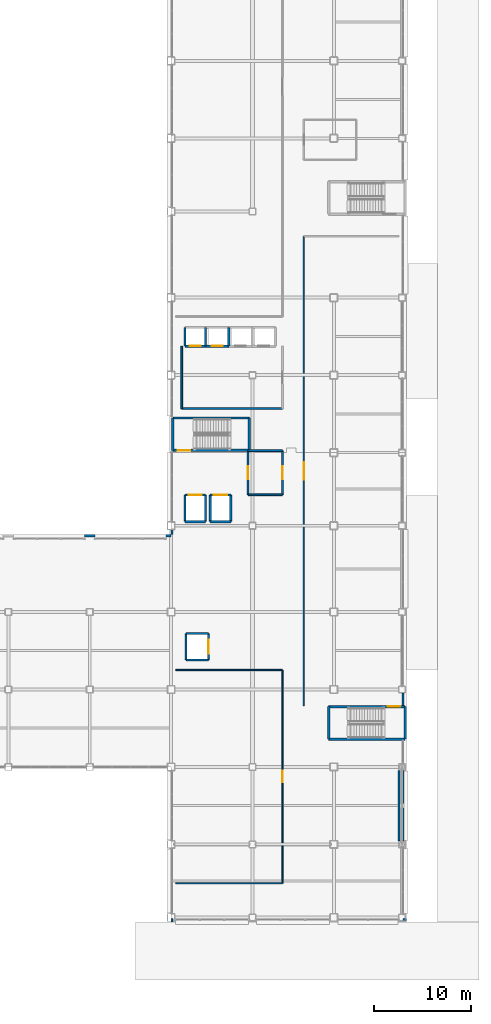
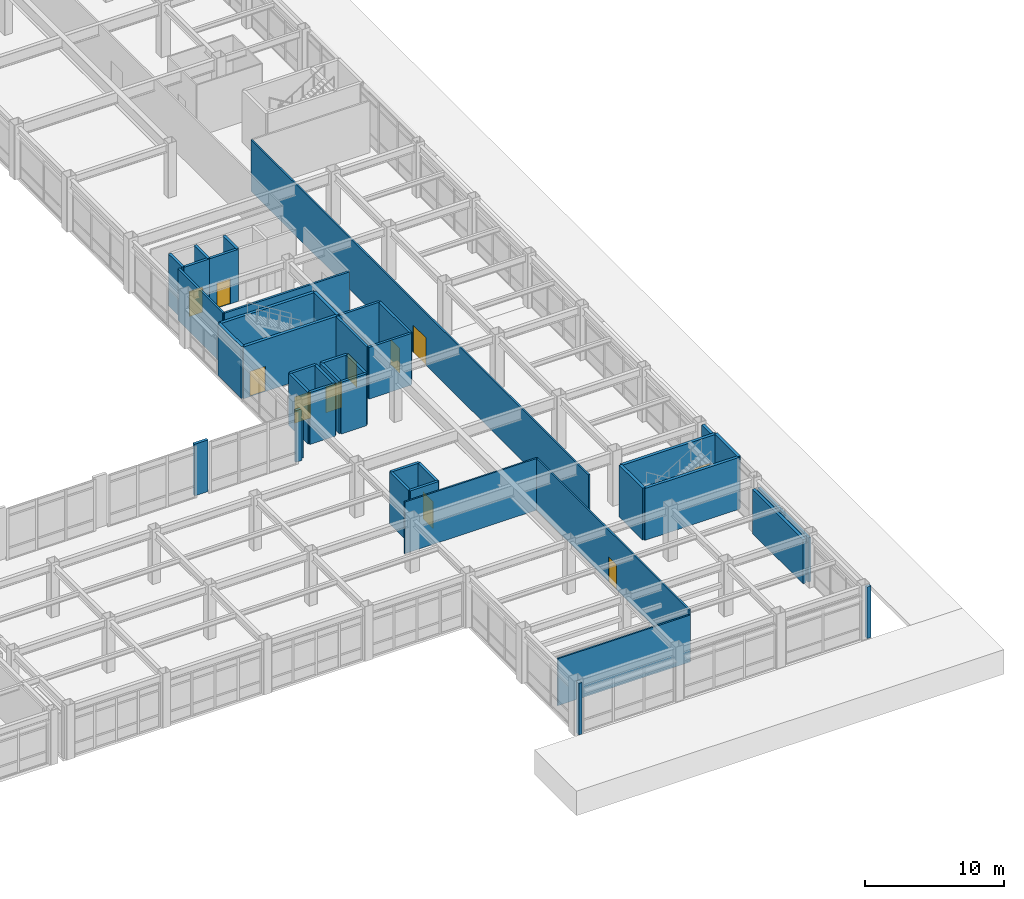
# One storey, part 147 of 172: 43 walls, 11 doors, 11 openings.
"""IFC4 building model written with IfcOpenShell, lengths in metres."""

import ifcopenshell
import ifcopenshell.guid

model = None  # the IFC model being written
_history = None  # IfcOwnerHistory: only IFC2X3 demands one
_inside = {}  # id of a spatial element -> (the spatial element, [elements in it])
_under = {}  # id of a project, library or spatial element -> (it, [spatial elements below it])
_declared = {}  # id of a project -> (the project, [libraries it declares])
_typed = {}  # id of a type object -> (the type object, [elements of that type])
_made_of = {}  # id of a material, layer set ... -> (it, [elements and type objects made of it])


def new_model(schema):
    """Start an empty IFC model of exactly this schema.

    Asked for "IFC4X3", IfcOpenShell would pick the latest addendum, in which some entities
    have other attributes; the version numbers below select the first issue.
    IFC2X3 requires an IfcOwnerHistory on every rooted entity: one is made here for all.
    """
    global model, _history
    if schema == "IFC4X3":
        model = ifcopenshell.file(schema_version=(4, 3, 0, 0))
    else:
        model = ifcopenshell.file(schema=schema)
    _inside.clear()
    _under.clear()
    _declared.clear()
    _typed.clear()
    _made_of.clear()
    _history = None
    if model.schema == "IFC2X3":
        org = make("IfcOrganization", Name="unknown")
        user = make(
            "IfcPersonAndOrganization",
            ThePerson=make("IfcPerson", FamilyName="unknown"),
            TheOrganization=org,
        )
        app = make(
            "IfcApplication",
            ApplicationDeveloper=org,
            Version="unknown",
            ApplicationFullName="unknown",
            ApplicationIdentifier="unknown",
        )
        _history = make(
            "IfcOwnerHistory",
            OwningUser=user,
            OwningApplication=app,
            ChangeAction="ADDED",
            CreationDate=0,
        )
    return model


def make(cls, **values):
    """One entity of the class cls with the attributes given. An attribute that is None is left unset."""
    return model.create_entity(
        cls, **{name: value for name, value in values.items() if value is not None}
    )


def rooted(cls, **values):
    """An entity with a GlobalId (a new one), such as an element, a storey or a relation."""
    return make(cls, GlobalId=ifcopenshell.guid.new(), OwnerHistory=_history, **values)


def si_unit(unit_type, name, prefix=None):
    """IfcSIUnit, for example si_unit("LENGTHUNIT", "METRE", prefix="MILLI")."""
    return make("IfcSIUnit", UnitType=unit_type, Prefix=prefix, Name=name)


def assignment(units):
    """IfcUnitAssignment: the units of a project."""
    return None if units is None else make("IfcUnitAssignment", Units=units)


def point(xyz):
    """IfcCartesianPoint."""
    return None if xyz is None else make("IfcCartesianPoint", Coordinates=xyz)


def direction(xyz):
    """IfcDirection."""
    return None if xyz is None else make("IfcDirection", DirectionRatios=xyz)


def frame(location, z_axis=None, x_axis=None):
    """IfcAxis2Placement3D, a coordinate frame: its origin and axes. An axis left out is left unset."""
    return make(
        "IfcAxis2Placement3D",
        Location=point(location),
        Axis=direction(z_axis),
        RefDirection=direction(x_axis),
    )


def frame_2d(location, x_axis=None):
    """IfcAxis2Placement2D, a coordinate frame in the plane: its origin and x axis."""
    return make(
        "IfcAxis2Placement2D", Location=point(location), RefDirection=direction(x_axis)
    )


def origin():
    """The frame at (0, 0, 0) with its axes left unset."""
    return frame((0.0, 0.0, 0.0))


def place(relative_to, where):
    """IfcLocalPlacement: puts the frame where relative to a parent placement (None: the world)."""
    return make(
        "IfcLocalPlacement", PlacementRelTo=relative_to, RelativePlacement=where
    )


def context(
    kind, dimensions, precision=None, world=None, true_north=None, identifier=None
):
    """IfcGeometricRepresentationContext, for example the 3D "Model" context."""
    return make(
        "IfcGeometricRepresentationContext",
        ContextIdentifier=identifier,
        ContextType=kind,
        CoordinateSpaceDimension=dimensions,
        Precision=precision,
        WorldCoordinateSystem=world,
        TrueNorth=true_north,
    )


def subcontext(parent, identifier, kind, view, scale=None):
    """IfcGeometricRepresentationSubContext, for example "Body" below "Model"."""
    return make(
        "IfcGeometricRepresentationSubContext",
        ContextIdentifier=identifier,
        ContextType=kind,
        ParentContext=parent,
        TargetScale=scale,
        TargetView=view,
    )


def project(units=None, contexts=None):
    """IfcProject with its units and contexts."""
    return rooted(
        "IfcProject",
        Name="project",
        RepresentationContexts=contexts,
        UnitsInContext=assignment(units),
    )


def spatial(cls, under=None, at=None, **own):
    """A site, building, storey or space (cls), placed at a placement, below another one or the project."""
    s = rooted(cls, ObjectPlacement=at, **own)
    if under is not None:
        _under.setdefault(under.id(), (under, []))[1].append(s)
    return s


def profile(cls, at=None, kind="AREA", **sizes):
    """A parametric profile (cls). Its sizes go by their IFC names, for example OverallWidth=200.0."""
    return make(cls, ProfileType=kind, Position=at, **sizes)


def rectangle(**sizes):
    """IfcRectangleProfileDef."""
    return profile("IfcRectangleProfileDef", **sizes)


def extrude(swept, where, along, depth):
    """IfcExtrudedAreaSolid: the profile swept, set in the frame where, extruded along a direction by depth."""
    return make(
        "IfcExtrudedAreaSolid",
        SweptArea=swept,
        Position=where,
        ExtrudedDirection=direction(along),
        Depth=depth,
    )


def shape(context_of_items, identifier, shape_type, items):
    """IfcShapeRepresentation: the items that make up one representation, for example the "Body"."""
    return make(
        "IfcShapeRepresentation",
        ContextOfItems=context_of_items,
        RepresentationIdentifier=identifier,
        RepresentationType=shape_type,
        Items=items,
    )


def material(Name=None, Category=None):
    """IfcMaterial."""
    return make("IfcMaterial", Name=Name, Category=Category)


def layer(
    of_material, thickness, ventilated=None, Name=None, Category=None, Priority=None
):
    """IfcMaterialLayer: one layer of a wall or slab, of a material (None: an air gap)."""
    return make(
        "IfcMaterialLayer",
        Material=of_material,
        LayerThickness=thickness,
        IsVentilated=ventilated,
        Name=Name,
        Category=Category,
        Priority=Priority,
    )


def layer_set(layers, Name=None):
    """IfcMaterialLayerSet."""
    return make("IfcMaterialLayerSet", MaterialLayers=layers, LayerSetName=Name)


def made_of(thing, what):
    """Note that an element or type object is made of a material, layer set ...; save() writes the relation."""
    if what is not None:
        _made_of.setdefault(what.id(), (what, []))[1].append(thing)
    return thing


def type_object(cls, material=None, **own):
    """A type object (cls), such as IfcWallType, which elements share."""
    return made_of(rooted(cls, **own), material)


def element(
    cls,
    number,
    at=None,
    inside=None,
    cuts=None,
    type_object=None,
    material=None,
    context=None,
    identifier="Body",
    shape_type=None,
    held_by="IfcProductDefinitionShape",
    body=None,
    shapes=None,
    **own,
):
    """One element of the class cls, such as IfcWall. Its Tag is "e" and its number.

    at: its placement. inside: the storey or other place that contains it. cuts: it is an
    opening in that element (IfcRelVoidsElement). A single representation is given by context,
    identifier, shape_type and body (its items); several are given by shapes. held_by: the class
    of the entity that holds the representations. save() writes the other relations.
    """
    e = rooted(cls, Tag="e%d" % number, ObjectPlacement=at, **own)
    if body is not None:
        shapes = [shape(context, identifier, shape_type, body)]
    if shapes is not None:
        e.Representation = make(held_by, Representations=shapes)
    if inside is not None:
        _inside.setdefault(inside.id(), (inside, []))[1].append(e)
    if cuts is not None:
        rooted(
            "IfcRelVoidsElement", RelatingBuildingElement=cuts, RelatedOpeningElement=e
        )
    if type_object is not None:
        _typed.setdefault(type_object.id(), (type_object, []))[1].append(e)
    return made_of(e, material)


def fill(opening, filler):
    """IfcRelFillsElement: the door or window that sits in an opening."""
    return rooted(
        "IfcRelFillsElement",
        RelatingOpeningElement=opening,
        RelatedBuildingElement=filler,
    )


def aggregate(whole, parts):
    """IfcRelAggregates: a whole, such as a stair, and the parts it consists of."""
    return rooted("IfcRelAggregates", RelatingObject=whole, RelatedObjects=parts)


def save(model, path):
    """Write the relations noted so far, then the file.

    IfcRelAggregates (storeys below a building ...), IfcRelContainedInSpatialStructure (elements
    in a storey), IfcRelDefinesByType, IfcRelAssociatesMaterial and IfcRelDeclares: one each for
    every whole, place, type object, material and project.
    """
    for whole, parts in _under.values():
        aggregate(whole, parts)
    for where, things in _inside.values():
        rooted(
            "IfcRelContainedInSpatialStructure",
            RelatedElements=things,
            RelatingStructure=where,
        )
    for kind, things in _typed.values():
        rooted("IfcRelDefinesByType", RelatedObjects=things, RelatingType=kind)
    for what, things in _made_of.values():
        rooted("IfcRelAssociatesMaterial", RelatedObjects=things, RelatingMaterial=what)
    for by, libraries in _declared.values():
        rooted("IfcRelDeclares", RelatingContext=by, RelatedDefinitions=libraries)
    model.write(path)


model = new_model("IFC4")

# Units and contexts
model_context = context("Model", 3, precision=1e-05, world=origin(), true_north=direction((0.0, 1.0)))
body_context = subcontext(model_context, "Body", "Model", "MODEL_VIEW")
ifc_project = project(units=[si_unit("LENGTHUNIT", "METRE"), si_unit("AREAUNIT", "SQUARE_METRE"), si_unit("VOLUMEUNIT", "CUBIC_METRE"), si_unit("PLANEANGLEUNIT", "RADIAN"), si_unit("MASSUNIT", "GRAM", prefix="KILO")], contexts=[model_context])

# Site, building, storey
site_placement = place(None, origin())
site = spatial("IfcSite", under=ifc_project, at=site_placement, CompositionType="ELEMENT")
building_placement = place(site_placement, origin())
building = spatial("IfcBuilding", under=site, at=building_placement, Name="Kazehara Bluff Congress Hotel", CompositionType="ELEMENT")
storey_placement = place(building_placement, frame((0.0, 0.0, 5.39990234375)))
storey = spatial("IfcBuildingStorey", under=building, at=storey_placement, Name="L01", CompositionType="ELEMENT", Elevation=5.39990234375)

# Walls
ifc_material_1 = material(Name="Concrete C40/50", Category="concrete")
ifc_layer_1 = layer(ifc_material_1, 0.25)
ifc_layer_set_1 = layer_set([ifc_layer_1], Name="Concrete C40/50")
wall_type_1 = type_object("IfcWallType", Name="TP-CW-RC", PredefinedType="SHEAR", material=ifc_layer_set_1)
for number, where, z_axis, x_axis, name in (
    (1, (167.875, 22.22509765625, 0.0), (0.0, 0.0, 1.0), (0.0, -1.0, 0.0), "L01 ST-10 core wall near"),
    (2, (159.97509765625, 18.875, 0.0), (0.0, 0.0, 1.0), (0.0, 1.0, 0.0), "L01 ST-10 core wall far"),
):
    element("IfcWall", number, at=place(storey_placement, frame(where, z_axis=z_axis, x_axis=x_axis)), inside=storey, type_object=wall_type_1, Name=name, PredefinedType="SHEAR", context=body_context, shape_type="SweptSolid", body=[
        extrude(rectangle(XDim=3.35009765625, YDim=0.25, at=frame_2d((1.675048828125, 0.0))), origin(), (0.0, 0.0, 1.0), 4.550048828125),
    ])

# Wall, opening, door
wall_1_placement = place(storey_placement, frame((159.97509765625, 22.22509765625, 0.0), z_axis=(0.0, 0.0, 1.0), x_axis=(1.0, 0.0, 0.0)))
wall_1 = element("IfcWall", 3, at=wall_1_placement, inside=storey, type_object=wall_type_1, Name="L01 ST-10 core wall left", PredefinedType="SHEAR", context=body_context, shape_type="SweptSolid", body=[
    extrude(rectangle(XDim=7.89990234375, YDim=0.25, at=frame_2d((3.949951171875, 0.0))), origin(), (0.0, 0.0, 1.0), 4.550048828125),
])
opening_1_placement = place(wall_1_placement, frame((6.074951171875, 0.0, 0.0)))
opening_1 = element("IfcOpeningElement", 4, at=opening_1_placement, cuts=wall_1, Name="Opening FD-01", PredefinedType="OPENING", context=body_context, shape_type="SweptSolid", body=[
    extrude(rectangle(XDim=1.300048828125, YDim=2.199951171875, at=frame_2d((0.64990234375, 1.10009765625))), frame((0.0, 0.135009765625, 0.0), z_axis=(0.0, -1.0, 0.0), x_axis=(1.0, 0.0, 0.0)), (0.0, 0.0, 1.0), 0.27001953125),
])
ifc_material_2 = material(Name="Fire-rated painted steel leaf", Category="steel")
door_type_1 = type_object("IfcDoorType", Name="TP-FD-01", OperationType="NOTDEFINED", PredefinedType="DOOR", material=ifc_material_2)
door_1_placement = place(opening_1_placement, origin())
door_1 = element("IfcDoor", 5, at=door_1_placement, inside=storey, type_object=door_type_1, Name="L01 ST-10 fire stair door", OperationType="SINGLE_SWING_LEFT", OverallHeight=2.199951171875, OverallWidth=1.300048828125, PredefinedType="DOOR", context=body_context, shape_type="SweptSolid", body=[
    extrude(rectangle(XDim=1.300048828125, YDim=2.199951171875, at=frame_2d((0.64990234375, 1.10009765625))), frame((0.0, 0.02490234375, 0.0), z_axis=(0.0, -1.0, 0.0), x_axis=(1.0, 0.0, 0.0)), (0.0, 0.0, 1.0), 0.050048828125),
])
fill(opening_1, door_1)

# Walls
wall_2_placement = place(storey_placement, frame((167.875, 18.875, 0.0), z_axis=(0.0, 0.0, 1.0), x_axis=(-1.0, 0.0, 0.0)))
element("IfcWall", 6, at=wall_2_placement, inside=storey, type_object=wall_type_1, Name="L01 ST-10 core wall right", PredefinedType="SHEAR", context=body_context, shape_type="SweptSolid", body=[
    extrude(rectangle(XDim=7.89990234375, YDim=0.25, at=frame_2d((3.949951171875, 0.0))), origin(), (0.0, 0.0, 1.0), 4.550048828125),
])
for number, where, z_axis, x_axis, name in (
    (7, (143.875, 48.675048828125, 0.0), (0.0, 0.0, 1.0), (0.0, 1.0, 0.0), "L01 ST-11 core wall near"),
    (8, (151.77490234375, 52.02490234375, 0.0), (0.0, 0.0, 1.0), (0.0, -1.0, 0.0), "L01 ST-11 core wall far"),
):
    element("IfcWall", number, at=place(storey_placement, frame(where, z_axis=z_axis, x_axis=x_axis)), inside=storey, type_object=wall_type_1, Name=name, PredefinedType="SHEAR", context=body_context, shape_type="SweptSolid", body=[
        extrude(rectangle(XDim=3.349853515625, YDim=0.25, at=frame_2d((1.6748046875, 0.0))), origin(), (0.0, 0.0, 1.0), 4.550048828125),
    ])

# Wall, opening, door
wall_3_placement = place(storey_placement, frame((151.77490234375, 48.675048828125, 0.0), z_axis=(0.0, 0.0, 1.0), x_axis=(-1.0, 0.0, 0.0)))
wall_3 = element("IfcWall", 9, at=wall_3_placement, inside=storey, type_object=wall_type_1, Name="L01 ST-11 core wall left", PredefinedType="SHEAR", context=body_context, shape_type="SweptSolid", body=[
    extrude(rectangle(XDim=7.89990234375, YDim=0.25, at=frame_2d((3.949951171875, 0.0))), origin(), (0.0, 0.0, 1.0), 4.550048828125),
])
opening_2_placement = place(wall_3_placement, frame((6.074951171875, 0.0, 0.0)))
opening_2 = element("IfcOpeningElement", 10, at=opening_2_placement, cuts=wall_3, Name="Opening FD-01", PredefinedType="OPENING", context=body_context, shape_type="SweptSolid", body=[
    extrude(rectangle(XDim=1.300048828125, YDim=2.199951171875, at=frame_2d((0.64990234375, 1.10009765625))), frame((0.0, 0.135009765625, 0.0), z_axis=(0.0, -1.0, 0.0), x_axis=(1.0, 0.0, 0.0)), (0.0, 0.0, 1.0), 0.27001953125),
])
door_2_placement = place(opening_2_placement, origin())
door_2 = element("IfcDoor", 11, at=door_2_placement, inside=storey, type_object=door_type_1, Name="L01 ST-11 fire stair door", OperationType="SINGLE_SWING_RIGHT", OverallHeight=2.199951171875, OverallWidth=1.300048828125, PredefinedType="DOOR", context=body_context, shape_type="SweptSolid", body=[
    extrude(rectangle(XDim=1.300048828125, YDim=2.199951171875, at=frame_2d((0.64990234375, 1.10009765625))), frame((0.0, 0.02490234375, 0.0), z_axis=(0.0, -1.0, 0.0), x_axis=(1.0, 0.0, 0.0)), (0.0, 0.0, 1.0), 0.050048828125),
])
fill(opening_2, door_2)

# Walls
wall_4_placement = place(storey_placement, frame((143.875, 52.02490234375, 0.0), z_axis=(0.0, 0.0, 1.0), x_axis=(1.0, 0.0, 0.0)))
element("IfcWall", 12, at=wall_4_placement, inside=storey, type_object=wall_type_1, Name="L01 ST-11 core wall right", PredefinedType="SHEAR", context=body_context, shape_type="SweptSolid", body=[
    extrude(rectangle(XDim=7.89990234375, YDim=0.25, at=frame_2d((3.949951171875, 0.0))), origin(), (0.0, 0.0, 1.0), 4.550048828125),
])
ifc_material_3 = material(Name="Precast concrete C40/50", Category="concrete")
ifc_layer_2 = layer(ifc_material_3, 0.239990234375)
ifc_layer_set_2 = layer_set([ifc_layer_2], Name="Precast concrete C40/50")
wall_type_2 = type_object("IfcWallType", Name="TP-EW-240", PredefinedType="SOLIDWALL", material=ifc_layer_set_2)
wall_5_placement = place(storey_placement, frame((167.22998046875, 8.35009765625, 0.0), z_axis=(0.0, 0.0, 1.0), x_axis=(0.0, 1.0, 0.0)))
element("IfcWall", 13, at=wall_5_placement, inside=storey, type_object=wall_type_2, Name="L01 braced-bay recessed facade wall 1", PredefinedType="SOLIDWALL", context=body_context, shape_type="SweptSolid", body=[
    extrude(rectangle(XDim=7.2998046875, YDim=0.239990234375, at=frame_2d((3.64990234375, 0.0))), origin(), (0.0, 0.0, 1.0), 3.875),
])
wall_6_placement = place(storey_placement, frame((168.0, 0.219970703125, 0.0), z_axis=(0.0, 0.0, 1.0), x_axis=(-1.0, 0.0, 0.0)))
element("IfcWall", 14, at=wall_6_placement, inside=storey, type_object=wall_type_2, Name="L01 V5 perimeter spandrel pier 606", PredefinedType="SOLIDWALL", context=body_context, shape_type="SweptSolid", body=[
    extrude(rectangle(XDim=0.360107421875, YDim=0.239990234375, at=frame_2d((0.18017578125, 0.0))), origin(), (0.0, 0.0, 1.0), 4.53515625),
])
wall_7_placement = place(storey_placement, frame((167.64990234375, 15.64990234375, 0.0), z_axis=(0.0, 0.0, 1.0), x_axis=(0.0, -1.0, 0.0)))
element("IfcWall", 15, at=wall_7_placement, inside=storey, type_object=wall_type_2, Name="L01 V5 perimeter spandrel pier 607", PredefinedType="SOLIDWALL", context=body_context, shape_type="SweptSolid", body=[
    extrude(rectangle(XDim=7.2998046875, YDim=0.239990234375, at=frame_2d((3.64990234375, 0.0))), origin(), (0.0, 0.0, 1.0), 3.875),
])
wall_8_placement = place(storey_placement, frame((167.64990234375, 23.64990234375, 0.0), z_axis=(0.0, 0.0, 1.0), x_axis=(0.0, -1.0, 0.0)))
element("IfcWall", 16, at=wall_8_placement, inside=storey, type_object=wall_type_2, Name="L01 V5 perimeter spandrel pier 608", PredefinedType="SOLIDWALL", context=body_context, shape_type="SweptSolid", body=[
    extrude(rectangle(XDim=1.289794921875, YDim=0.239990234375, at=frame_2d((0.64501953125, 0.0))), origin(), (0.0, 0.0, 1.0), 4.53515625),
])
wall_9_placement = place(storey_placement, frame((143.800048828125, 40.0, 0.0), z_axis=(0.0, 0.0, 1.0), x_axis=(0.0, 1.0, 0.0)))
element("IfcWall", 17, at=wall_9_placement, inside=storey, type_object=wall_type_2, Name="L01 V5 perimeter spandrel pier 610", PredefinedType="SOLIDWALL", context=body_context, shape_type="SweptSolid", body=[
    extrude(rectangle(XDim=0.5, YDim=0.239990234375, at=frame_2d((0.25, 0.0))), origin(), (0.0, 0.0, 1.0), 3.8251953125),
])
wall_10_placement = place(storey_placement, frame((134.75, 39.8798828125, 0.0), z_axis=(0.0, 0.0, 1.0), x_axis=(1.0, 0.0, 0.0)))
element("IfcWall", 18, at=wall_10_placement, inside=storey, type_object=wall_type_2, Name="L01 V5 perimeter spandrel pier 615", PredefinedType="SOLIDWALL", context=body_context, shape_type="SweptSolid", body=[
    extrude(rectangle(XDim=1.10009765625, YDim=0.239990234375, at=frame_2d((0.550048828125, 0.0))), origin(), (0.0, 0.0, 1.0), 4.53515625),
])
wall_11_placement = place(storey_placement, frame((143.14990234375, 39.8798828125, 0.0), z_axis=(0.0, 0.0, 1.0), x_axis=(1.0, 0.0, 0.0)))
element("IfcWall", 19, at=wall_11_placement, inside=storey, type_object=wall_type_2, Name="L01 V5 perimeter spandrel pier 616", PredefinedType="SOLIDWALL", context=body_context, shape_type="SweptSolid", body=[
    extrude(rectangle(XDim=0.52001953125, YDim=0.239990234375, at=frame_2d((0.260009765625, 0.0))), origin(), (0.0, 0.0, 1.0), 4.53515625),
])
wall_12_placement = place(storey_placement, frame((143.800048828125, 0.0, 0.0), z_axis=(0.0, 0.0, 1.0), x_axis=(0.0, 1.0, 0.0)))
element("IfcWall", 20, at=wall_12_placement, inside=storey, type_object=wall_type_2, Name="L01 V5 perimeter spandrel pier 621", PredefinedType="SOLIDWALL", context=body_context, shape_type="SweptSolid", body=[
    extrude(rectangle(XDim=0.360107421875, YDim=0.239990234375, at=frame_2d((0.18017578125, 0.0))), origin(), (0.0, 0.0, 1.0), 4.53515625),
])
ifc_material_4 = material(Name="Concrete C40/50", Category="concrete")
ifc_layer_3 = layer(ifc_material_4, 0.199951171875)
ifc_layer_set_3 = layer_set([ifc_layer_3], Name="Concrete C40/50")
wall_type_3 = type_object("IfcWallType", Name="TP-FW-RC", PredefinedType="SOLIDWALL", material=ifc_layer_set_3)
for number, where, z_axis, x_axis, name in (
    (21, (151.64990234375, 44.10009765625, 0.0), (0.0, 0.0, 1.0), (1.0, 0.0, 0.0), "L01 partition FW-RC 147"),
    (22, (151.64990234375, 48.64990234375, 0.0), (0.0, 0.0, 1.0), (1.0, 0.0, 0.0), "L01 partition FW-RC 149"),
):
    element("IfcWall", number, at=place(storey_placement, frame(where, z_axis=z_axis, x_axis=x_axis)), inside=storey, type_object=wall_type_3, Name=name, PredefinedType="SOLIDWALL", context=body_context, shape_type="SweptSolid", body=[
        extrude(rectangle(XDim=3.550048828125, YDim=0.199951171875, at=frame_2d((1.77490234375, 0.0))), origin(), (0.0, 0.0, 1.0), 4.53515625),
    ])

# Wall, opening, door
wall_13_placement = place(storey_placement, frame((151.64990234375, 44.10009765625, 0.0), z_axis=(0.0, 0.0, 1.0), x_axis=(0.0, 1.0, 0.0)))
wall_13 = element("IfcWall", 23, at=wall_13_placement, inside=storey, type_object=wall_type_3, Name="L01 partition FW-RC 185", PredefinedType="SOLIDWALL", context=body_context, shape_type="SweptSolid", body=[
    extrude(rectangle(XDim=4.5498046875, YDim=0.199951171875, at=frame_2d((2.27490234375, 0.0))), origin(), (0.0, 0.0, 1.0), 4.53515625),
])
opening_3_placement = place(wall_13_placement, frame((1.625, 0.0, 0.0)))
opening_3 = element("IfcOpeningElement", 24, at=opening_3_placement, cuts=wall_13, Name="Opening FD-01", PredefinedType="OPENING", context=body_context, shape_type="SweptSolid", body=[
    extrude(rectangle(XDim=1.300048828125, YDim=2.199951171875, at=frame_2d((0.64990234375, 1.10009765625))), frame((0.0, 0.10986328125, 0.0), z_axis=(0.0, -1.0, 0.0), x_axis=(1.0, 0.0, 0.0)), (0.0, 0.0, 1.0), 0.219970703125),
])
door_3_placement = place(opening_3_placement, origin())
door_3 = element("IfcDoor", 25, at=door_3_placement, inside=storey, type_object=door_type_1, Name="L01 Emergency Firefighting Lobby door", OperationType="SINGLE_SWING_LEFT", OverallHeight=2.199951171875, OverallWidth=1.300048828125, PredefinedType="DOOR", context=body_context, shape_type="SweptSolid", body=[
    extrude(rectangle(XDim=1.300048828125, YDim=2.199951171875, at=frame_2d((0.64990234375, 1.10009765625))), frame((0.0, 0.02490234375, 0.0), z_axis=(0.0, -1.0, 0.0), x_axis=(1.0, 0.0, 0.0)), (0.0, 0.0, 1.0), 0.050048828125),
])
fill(opening_3, door_3)

wall_14_placement = place(storey_placement, frame((155.199951171875, 44.10009765625, 0.0), z_axis=(0.0, 0.0, 1.0), x_axis=(0.0, 1.0, 0.0)))
wall_14 = element("IfcWall", 26, at=wall_14_placement, inside=storey, type_object=wall_type_3, Name="L01 partition FW-RC 187", PredefinedType="SOLIDWALL", context=body_context, shape_type="SweptSolid", body=[
    extrude(rectangle(XDim=4.5498046875, YDim=0.199951171875, at=frame_2d((2.27490234375, 0.0))), origin(), (0.0, 0.0, 1.0), 4.53515625),
])
opening_4_placement = place(wall_14_placement, frame((1.625, 0.0, 0.0)))
opening_4 = element("IfcOpeningElement", 27, at=opening_4_placement, cuts=wall_14, Name="Opening FD-01", PredefinedType="OPENING", context=body_context, shape_type="SweptSolid", body=[
    extrude(rectangle(XDim=1.300048828125, YDim=2.199951171875, at=frame_2d((0.64990234375, 1.10009765625))), frame((0.0, 0.10986328125, 0.0), z_axis=(0.0, -1.0, 0.0), x_axis=(1.0, 0.0, 0.0)), (0.0, 0.0, 1.0), 0.219970703125),
])
door_4_placement = place(opening_4_placement, origin())
door_4 = element("IfcDoor", 28, at=door_4_placement, inside=storey, type_object=door_type_1, Name="L01 Smoke Vestibule Lobby door", OperationType="SINGLE_SWING_RIGHT", OverallHeight=2.199951171875, OverallWidth=1.300048828125, PredefinedType="DOOR", context=body_context, shape_type="SweptSolid", body=[
    extrude(rectangle(XDim=1.300048828125, YDim=2.199951171875, at=frame_2d((0.64990234375, 1.10009765625))), frame((0.0, 0.02490234375, 0.0), z_axis=(0.0, -1.0, 0.0), x_axis=(1.0, 0.0, 0.0)), (0.0, 0.0, 1.0), 0.050048828125),
])
fill(opening_4, door_4)

# Walls
ifc_material_5 = material(Name="Fire-rated gypsum board stud partition")
ifc_layer_4 = layer(ifc_material_5, 0.1298828125)
ifc_layer_set_4 = layer_set([ifc_layer_4], Name="Fire-rated gypsum board stud partition")
wall_type_4 = type_object("IfcWallType", Name="TP-PT-130", PredefinedType="PARTITIONING", material=ifc_layer_set_4)
wall_15_placement = place(storey_placement, frame((144.199951171875, 4.0, 0.0), z_axis=(0.0, 0.0, 1.0), x_axis=(1.0, 0.0, 0.0)))
element("IfcWall", 29, at=wall_15_placement, inside=storey, type_object=wall_type_4, Name="L01 partition PT-130 134", PredefinedType="PARTITIONING", context=body_context, shape_type="SweptSolid", body=[
    extrude(rectangle(XDim=11.0, YDim=0.1298828125, at=frame_2d((5.5, 0.0))), origin(), (0.0, 0.0, 1.0), 4.125),
])
wall_16_placement = place(storey_placement, frame((144.199951171875, 26.0, 0.0), z_axis=(0.0, 0.0, 1.0), x_axis=(1.0, 0.0, 0.0)))
element("IfcWall", 30, at=wall_16_placement, inside=storey, type_object=wall_type_4, Name="L01 partition PT-130 139", PredefinedType="PARTITIONING", context=body_context, shape_type="SweptSolid", body=[
    extrude(rectangle(XDim=11.0, YDim=0.1298828125, at=frame_2d((5.5, 0.0))), origin(), (0.0, 0.0, 1.0), 4.53515625),
])

# Wall, opening, door
wall_17_placement = place(storey_placement, frame((155.199951171875, 4.0, 0.0), z_axis=(0.0, 0.0, 1.0), x_axis=(0.0, 1.0, 0.0)))
wall_17 = element("IfcWall", 31, at=wall_17_placement, inside=storey, type_object=wall_type_4, Name="L01 partition PT-130 186", PredefinedType="PARTITIONING", context=body_context, shape_type="SweptSolid", body=[
    extrude(rectangle(XDim=22.0, YDim=0.1298828125, at=frame_2d((11.0, 0.0))), origin(), (0.0, 0.0, 1.0), 4.53515625),
])
opening_5_placement = place(wall_17_placement, frame((10.39990234375, 0.0, 0.0)))
opening_5 = element("IfcOpeningElement", 32, at=opening_5_placement, cuts=wall_17, Name="Opening FD-02", PredefinedType="OPENING", context=body_context, shape_type="SweptSolid", body=[
    extrude(rectangle(XDim=1.199951171875, YDim=2.199951171875, at=frame_2d((0.60009765625, 1.10009765625))), frame((0.0, 0.074951171875, 0.0), z_axis=(0.0, -1.0, 0.0), x_axis=(1.0, 0.0, 0.0)), (0.0, 0.0, 1.0), 0.14990234375),
])
ifc_material_6 = material(Name="Fire-rated painted steel leaf", Category="steel")
door_type_2 = type_object("IfcDoorType", Name="TP-FD-02", OperationType="NOTDEFINED", PredefinedType="DOOR", material=ifc_material_6)
door_5_placement = place(opening_5_placement, origin())
door_5 = element("IfcDoor", 33, at=door_5_placement, inside=storey, type_object=door_type_2, Name="L01 Specialty Banquet Finishing Kitchen door", OperationType="SINGLE_SWING_LEFT", OverallHeight=2.199951171875, OverallWidth=1.199951171875, PredefinedType="DOOR", context=body_context, shape_type="SweptSolid", body=[
    extrude(rectangle(XDim=1.199951171875, YDim=2.199951171875, at=frame_2d((0.60009765625, 1.10009765625))), frame((0.0, 0.02490234375, 0.0), z_axis=(0.0, -1.0, 0.0), x_axis=(1.0, 0.0, 0.0)), (0.0, 0.0, 1.0), 0.050048828125),
])
fill(opening_5, door_5)

wall_18_placement = place(storey_placement, frame((157.39990234375, 22.300048828125, 0.0), z_axis=(0.0, 0.0, 1.0), x_axis=(0.0, 1.0, 0.0)))
wall_18 = element("IfcWall", 34, at=wall_18_placement, inside=storey, type_object=wall_type_4, Name="L01 partition PT-130 190", PredefinedType="PARTITIONING", context=body_context, shape_type="SweptSolid", body=[
    extrude(rectangle(XDim=48.5, YDim=0.1298828125, at=frame_2d((24.25, 0.0))), origin(), (0.0, 0.0, 1.0), 4.53515625),
])
opening_6_placement = place(wall_18_placement, frame((23.324951171875, 0.0, 0.0)))
opening_6 = element("IfcOpeningElement", 35, at=opening_6_placement, cuts=wall_18, Name="Opening AD-02", PredefinedType="OPENING", context=body_context, shape_type="SweptSolid", body=[
    extrude(rectangle(XDim=1.85009765625, YDim=2.39990234375, at=frame_2d((0.925048828125, 1.199951171875))), frame((0.0, 0.074951171875, 0.0), z_axis=(0.0, -1.0, 0.0), x_axis=(1.0, 0.0, 0.0)), (0.0, 0.0, 1.0), 0.14990234375),
])
ifc_material_7 = material(Name="Architectural oak veneer leaf")
door_type_3 = type_object("IfcDoorType", Name="TP-AD-02", OperationType="DOUBLE_DOOR_SINGLE_SWING", PredefinedType="DOOR", material=ifc_material_7)
door_6_placement = place(opening_6_placement, origin())
door_6 = element("IfcDoor", 36, at=door_6_placement, inside=storey, type_object=door_type_3, Name="L01 Eastern Street Main Hotel Reception Hall door", OperationType="DOUBLE_DOOR_SINGLE_SWING", OverallHeight=2.39990234375, OverallWidth=1.85009765625, PredefinedType="DOOR", context=body_context, shape_type="SweptSolid", body=[
    extrude(rectangle(XDim=1.85009765625, YDim=2.39990234375, at=frame_2d((0.925048828125, 1.199951171875))), frame((0.0, 0.02490234375, 0.0), z_axis=(0.0, -1.0, 0.0), x_axis=(1.0, 0.0, 0.0)), (0.0, 0.0, 1.0), 0.050048828125),
])
fill(opening_6, door_6)

# Walls
ifc_material_8 = material(Name="Fire-rated gypsum board stud partition")
ifc_layer_5 = layer(ifc_material_8, 0.169921875)
ifc_layer_set_5 = layer_set([ifc_layer_5], Name="Fire-rated gypsum board stud partition")
wall_type_5 = type_object("IfcWallType", Name="TP-PT-180", PredefinedType="PARTITIONING", material=ifc_layer_set_5)
wall_19_placement = place(storey_placement, frame((144.800048828125, 53.0, 0.0), z_axis=(0.0, 0.0, 1.0), x_axis=(1.0, 0.0, 0.0)))
element("IfcWall", 37, at=wall_19_placement, inside=storey, type_object=wall_type_5, Name="L01 partition PT-180 151", PredefinedType="PARTITIONING", context=body_context, shape_type="SweptSolid", body=[
    extrude(rectangle(XDim=10.39990234375, YDim=0.169921875, at=frame_2d((5.199951171875, 0.0))), origin(), (0.0, 0.0, 1.0), 4.53515625),
])
wall_20_placement = place(storey_placement, frame((144.800048828125, 53.0, 0.0), z_axis=(0.0, 0.0, 1.0), x_axis=(0.0, 1.0, 0.0)))
element("IfcWall", 38, at=wall_20_placement, inside=storey, type_object=wall_type_5, Name="L01 partition PT-180 184", PredefinedType="PARTITIONING", context=body_context, shape_type="SweptSolid", body=[
    extrude(rectangle(XDim=6.449951171875, YDim=0.169921875, at=frame_2d((3.22509765625, 0.0))), origin(), (0.0, 0.0, 1.0), 4.53515625),
])

# Wall, opening, door
ifc_material_9 = material(Name="Concrete C40/50", Category="concrete")
ifc_layer_6 = layer(ifc_material_9, 0.219970703125)
ifc_layer_set_6 = layer_set([ifc_layer_6], Name="Concrete C40/50")
wall_type_6 = type_object("IfcWallType", Name="TP-SW-RC", PredefinedType="SHEAR", material=ifc_layer_set_6)
wall_21_placement = place(storey_placement, frame((145.139892578125, 44.0849609375, 0.0), z_axis=(0.0, 0.0, 1.0), x_axis=(1.0, 0.0, 0.0)))
wall_21 = element("IfcWall", 39, at=wall_21_placement, inside=storey, type_object=wall_type_6, Name="L01 EL-E1 lift shaft wall +Y", PredefinedType="SHEAR", context=body_context, shape_type="SweptSolid", body=[
    extrude(rectangle(XDim=2.1201171875, YDim=0.219970703125, at=frame_2d((1.06005859375, 0.0))), origin(), (0.0, 0.0, 1.0), 4.550048828125),
])
opening_7_placement = place(wall_21_placement, frame((0.385009765625, 0.0, 0.0)))
opening_7 = element("IfcOpeningElement", 40, at=opening_7_placement, cuts=wall_21, Name="Opening LD-03", PredefinedType="OPENING", context=body_context, shape_type="SweptSolid", body=[
    extrude(rectangle(XDim=1.35009765625, YDim=2.300048828125, at=frame_2d((0.675048828125, 1.14990234375))), frame((0.0, 0.119873046875, 0.0), z_axis=(0.0, -1.0, 0.0), x_axis=(1.0, 0.0, 0.0)), (0.0, 0.0, 1.0), 0.239990234375),
])
ifc_material_10 = material(Name="Fire-rated painted steel leaf", Category="steel")
door_type_4 = type_object("IfcDoorType", Name="TP-LD-03", OperationType="SLIDING_TO_LEFT", PredefinedType="DOOR", material=ifc_material_10)
door_7_placement = place(opening_7_placement, origin())
door_7 = element("IfcDoor", 41, at=door_7_placement, inside=storey, type_object=door_type_4, Name="L01 EL-E1 elevator landing door", OperationType="SLIDING_TO_LEFT", OverallHeight=2.300048828125, OverallWidth=1.35009765625, PredefinedType="DOOR", context=body_context, shape_type="SweptSolid", body=[
    extrude(rectangle(XDim=1.35009765625, YDim=2.300048828125, at=frame_2d((0.675048828125, 1.14990234375))), frame((0.0, 0.02490234375, 0.0), z_axis=(0.0, -1.0, 0.0), x_axis=(1.0, 0.0, 0.0)), (0.0, 0.0, 1.0), 0.050048828125),
])
fill(opening_7, door_7)

# Walls
wall_22_placement = place(storey_placement, frame((145.139892578125, 41.31494140625, 0.0), z_axis=(0.0, 0.0, 1.0), x_axis=(1.0, 0.0, 0.0)))
element("IfcWall", 42, at=wall_22_placement, inside=storey, type_object=wall_type_6, Name="L01 EL-E1 lift shaft wall -Y", PredefinedType="SHEAR", context=body_context, shape_type="SweptSolid", body=[
    extrude(rectangle(XDim=2.1201171875, YDim=0.219970703125, at=frame_2d((1.06005859375, 0.0))), origin(), (0.0, 0.0, 1.0), 4.550048828125),
])
for number, where, z_axis, x_axis, name in (
    (43, (147.260009765625, 41.31494140625, 0.0), (0.0, 0.0, 1.0), (0.0, 1.0, 0.0), "L01 EL-E1 lift shaft wall +X"),
    (44, (145.139892578125, 41.31494140625, 0.0), (0.0, 0.0, 1.0), (0.0, 1.0, 0.0), "L01 EL-E1 lift shaft wall -X"),
):
    element("IfcWall", number, at=place(storey_placement, frame(where, z_axis=z_axis, x_axis=x_axis)), inside=storey, type_object=wall_type_6, Name=name, PredefinedType="SHEAR", context=body_context, shape_type="SweptSolid", body=[
        extrude(rectangle(XDim=2.77001953125, YDim=0.219970703125, at=frame_2d((1.385009765625, 0.0))), origin(), (0.0, 0.0, 1.0), 4.550048828125),
    ])

# Wall, opening, door
wall_23_placement = place(storey_placement, frame((147.739990234375, 44.0849609375, 0.0), z_axis=(0.0, 0.0, 1.0), x_axis=(1.0, 0.0, 0.0)))
wall_23 = element("IfcWall", 45, at=wall_23_placement, inside=storey, type_object=wall_type_6, Name="L01 EL-E2 lift shaft wall +Y", PredefinedType="SHEAR", context=body_context, shape_type="SweptSolid", body=[
    extrude(rectangle(XDim=2.1201171875, YDim=0.219970703125, at=frame_2d((1.06005859375, 0.0))), origin(), (0.0, 0.0, 1.0), 4.550048828125),
])
opening_8_placement = place(wall_23_placement, frame((0.385009765625, 0.0, 0.0)))
opening_8 = element("IfcOpeningElement", 46, at=opening_8_placement, cuts=wall_23, Name="Opening LD-03", PredefinedType="OPENING", context=body_context, shape_type="SweptSolid", body=[
    extrude(rectangle(XDim=1.35009765625, YDim=2.300048828125, at=frame_2d((0.675048828125, 1.14990234375))), frame((0.0, 0.119873046875, 0.0), z_axis=(0.0, -1.0, 0.0), x_axis=(1.0, 0.0, 0.0)), (0.0, 0.0, 1.0), 0.239990234375),
])
door_8_placement = place(opening_8_placement, origin())
door_8 = element("IfcDoor", 47, at=door_8_placement, inside=storey, type_object=door_type_4, Name="L01 EL-E2 elevator landing door", OperationType="SLIDING_TO_LEFT", OverallHeight=2.300048828125, OverallWidth=1.35009765625, PredefinedType="DOOR", context=body_context, shape_type="SweptSolid", body=[
    extrude(rectangle(XDim=1.35009765625, YDim=2.300048828125, at=frame_2d((0.675048828125, 1.14990234375))), frame((0.0, 0.02490234375, 0.0), z_axis=(0.0, -1.0, 0.0), x_axis=(1.0, 0.0, 0.0)), (0.0, 0.0, 1.0), 0.050048828125),
])
fill(opening_8, door_8)

# Walls
wall_24_placement = place(storey_placement, frame((147.739990234375, 41.31494140625, 0.0), z_axis=(0.0, 0.0, 1.0), x_axis=(1.0, 0.0, 0.0)))
element("IfcWall", 48, at=wall_24_placement, inside=storey, type_object=wall_type_6, Name="L01 EL-E2 lift shaft wall -Y", PredefinedType="SHEAR", context=body_context, shape_type="SweptSolid", body=[
    extrude(rectangle(XDim=2.1201171875, YDim=0.219970703125, at=frame_2d((1.06005859375, 0.0))), origin(), (0.0, 0.0, 1.0), 4.550048828125),
])
for number, where, z_axis, x_axis, name in (
    (49, (149.860107421875, 41.31494140625, 0.0), (0.0, 0.0, 1.0), (0.0, 1.0, 0.0), "L01 EL-E2 lift shaft wall +X"),
    (50, (147.739990234375, 41.31494140625, 0.0), (0.0, 0.0, 1.0), (0.0, 1.0, 0.0), "L01 EL-E2 lift shaft wall -X"),
):
    element("IfcWall", number, at=place(storey_placement, frame(where, z_axis=z_axis, x_axis=x_axis)), inside=storey, type_object=wall_type_6, Name=name, PredefinedType="SHEAR", context=body_context, shape_type="SweptSolid", body=[
        extrude(rectangle(XDim=2.77001953125, YDim=0.219970703125, at=frame_2d((1.385009765625, 0.0))), origin(), (0.0, 0.0, 1.0), 4.550048828125),
    ])

# Wall, opening, door
wall_25_placement = place(storey_placement, frame((145.139892578125, 59.43994140625, 0.0), z_axis=(0.0, 0.0, 1.0), x_axis=(1.0, 0.0, 0.0)))
wall_25 = element("IfcWall", 51, at=wall_25_placement, inside=storey, type_object=wall_type_6, Name="L01 EL-P1 lift shaft wall -Y", PredefinedType="SHEAR", context=body_context, shape_type="SweptSolid", body=[
    extrude(rectangle(XDim=2.1201171875, YDim=0.219970703125, at=frame_2d((1.06005859375, 0.0))), origin(), (0.0, 0.0, 1.0), 4.550048828125),
])
opening_9_placement = place(wall_25_placement, frame((0.510009765625, 0.0, 0.0)))
opening_9 = element("IfcOpeningElement", 52, at=opening_9_placement, cuts=wall_25, Name="Opening LD-01", PredefinedType="OPENING", context=body_context, shape_type="SweptSolid", body=[
    extrude(rectangle(XDim=1.10009765625, YDim=2.199951171875, at=frame_2d((0.550048828125, 1.10009765625))), frame((0.0, 0.119873046875, 0.0), z_axis=(0.0, -1.0, 0.0), x_axis=(1.0, 0.0, 0.0)), (0.0, 0.0, 1.0), 0.239990234375),
])
ifc_material_11 = material(Name="Fire-rated painted steel leaf", Category="steel")
door_type_5 = type_object("IfcDoorType", Name="TP-LD-01", OperationType="SLIDING_TO_LEFT", PredefinedType="DOOR", material=ifc_material_11)
door_9_placement = place(opening_9_placement, origin())
door_9 = element("IfcDoor", 53, at=door_9_placement, inside=storey, type_object=door_type_5, Name="L01 EL-P1 elevator landing door", OperationType="SLIDING_TO_LEFT", OverallHeight=2.199951171875, OverallWidth=1.10009765625, PredefinedType="DOOR", context=body_context, shape_type="SweptSolid", body=[
    extrude(rectangle(XDim=1.10009765625, YDim=2.199951171875, at=frame_2d((0.550048828125, 1.10009765625))), frame((0.0, 0.02490234375, 0.0), z_axis=(0.0, -1.0, 0.0), x_axis=(1.0, 0.0, 0.0)), (0.0, 0.0, 1.0), 0.050048828125),
])
fill(opening_9, door_9)

# Walls
for number, where, z_axis, x_axis, name in (
    (54, (147.260009765625, 59.43994140625, 0.0), (0.0, 0.0, 1.0), (0.0, 1.0, 0.0), "L01 EL-P1 lift shaft wall +X"),
    (55, (145.139892578125, 59.43994140625, 0.0), (0.0, 0.0, 1.0), (0.0, 1.0, 0.0), "L01 EL-P1 lift shaft wall -X"),
):
    element("IfcWall", number, at=place(storey_placement, frame(where, z_axis=z_axis, x_axis=x_axis)), inside=storey, type_object=wall_type_6, Name=name, PredefinedType="SHEAR", context=body_context, shape_type="SweptSolid", body=[
        extrude(rectangle(XDim=1.920166015625, YDim=0.219970703125, at=frame_2d((0.9599609375, 0.0))), origin(), (0.0, 0.0, 1.0), 4.550048828125),
    ])

# Wall, opening, door
wall_26_placement = place(storey_placement, frame((147.260009765625, 59.43994140625, 0.0), z_axis=(0.0, 0.0, 1.0), x_axis=(1.0, 0.0, 0.0)))
wall_26 = element("IfcWall", 56, at=wall_26_placement, inside=storey, type_object=wall_type_6, Name="L01 EL-P2 lift shaft wall -Y", PredefinedType="SHEAR", context=body_context, shape_type="SweptSolid", body=[
    extrude(rectangle(XDim=2.39990234375, YDim=0.219970703125, at=frame_2d((1.199951171875, 0.0))), origin(), (0.0, 0.0, 1.0), 4.550048828125),
])
opening_10_placement = place(wall_26_placement, frame((0.64990234375, 0.0, 0.0)))
opening_10 = element("IfcOpeningElement", 57, at=opening_10_placement, cuts=wall_26, Name="Opening LD-01", PredefinedType="OPENING", context=body_context, shape_type="SweptSolid", body=[
    extrude(rectangle(XDim=1.10009765625, YDim=2.199951171875, at=frame_2d((0.550048828125, 1.10009765625))), frame((0.0, 0.119873046875, 0.0), z_axis=(0.0, -1.0, 0.0), x_axis=(1.0, 0.0, 0.0)), (0.0, 0.0, 1.0), 0.239990234375),
])
door_10_placement = place(opening_10_placement, origin())
door_10 = element("IfcDoor", 58, at=door_10_placement, inside=storey, type_object=door_type_5, Name="L01 EL-P2 elevator landing door", OperationType="SLIDING_TO_LEFT", OverallHeight=2.199951171875, OverallWidth=1.10009765625, PredefinedType="DOOR", context=body_context, shape_type="SweptSolid", body=[
    extrude(rectangle(XDim=1.10009765625, YDim=2.199951171875, at=frame_2d((0.550048828125, 1.10009765625))), frame((0.0, 0.02490234375, 0.0), z_axis=(0.0, -1.0, 0.0), x_axis=(1.0, 0.0, 0.0)), (0.0, 0.0, 1.0), 0.050048828125),
])
fill(opening_10, door_10)

# Walls
wall_27_placement = place(storey_placement, frame((149.659912109375, 59.43994140625, 0.0), z_axis=(0.0, 0.0, 1.0), x_axis=(0.0, 1.0, 0.0)))
element("IfcWall", 59, at=wall_27_placement, inside=storey, type_object=wall_type_6, Name="L01 EL-P2 lift shaft wall +X", PredefinedType="SHEAR", context=body_context, shape_type="SweptSolid", body=[
    extrude(rectangle(XDim=1.920166015625, YDim=0.219970703125, at=frame_2d((0.9599609375, 0.0))), origin(), (0.0, 0.0, 1.0), 4.550048828125),
])
for number, where, z_axis, x_axis, name in (
    (60, (145.239990234375, 29.760009765625, 0.0), (0.0, 0.0, 1.0), (1.0, 0.0, 0.0), "L01 EL-S3 lift shaft wall +Y"),
    (61, (145.239990234375, 27.0400390625, 0.0), (0.0, 0.0, 1.0), (1.0, 0.0, 0.0), "L01 EL-S3 lift shaft wall -Y"),
):
    element("IfcWall", number, at=place(storey_placement, frame(where, z_axis=z_axis, x_axis=x_axis)), inside=storey, type_object=wall_type_6, Name=name, PredefinedType="SHEAR", context=body_context, shape_type="SweptSolid", body=[
        extrude(rectangle(XDim=2.320068359375, YDim=0.219970703125, at=frame_2d((1.16015625, 0.0))), origin(), (0.0, 0.0, 1.0), 4.550048828125),
    ])

# Wall, opening, door
wall_28_placement = place(storey_placement, frame((147.56005859375, 27.0400390625, 0.0), z_axis=(0.0, 0.0, 1.0), x_axis=(0.0, 1.0, 0.0)))
wall_28 = element("IfcWall", 62, at=wall_28_placement, inside=storey, type_object=wall_type_6, Name="L01 EL-S3 lift shaft wall +X", PredefinedType="SHEAR", context=body_context, shape_type="SweptSolid", body=[
    extrude(rectangle(XDim=2.719970703125, YDim=0.219970703125, at=frame_2d((1.35986328125, 0.0))), origin(), (0.0, 0.0, 1.0), 4.550048828125),
])
opening_11_placement = place(wall_28_placement, frame((0.635009765625, 0.0, 0.0)))
opening_11 = element("IfcOpeningElement", 63, at=opening_11_placement, cuts=wall_28, Name="Opening LD-04", PredefinedType="OPENING", context=body_context, shape_type="SweptSolid", body=[
    extrude(rectangle(XDim=1.449951171875, YDim=2.35009765625, at=frame_2d((0.72509765625, 1.175048828125))), frame((0.0, 0.119873046875, 0.0), z_axis=(0.0, -1.0, 0.0), x_axis=(1.0, 0.0, 0.0)), (0.0, 0.0, 1.0), 0.239990234375),
])
ifc_material_12 = material(Name="Fire-rated painted steel leaf", Category="steel")
door_type_6 = type_object("IfcDoorType", Name="TP-LD-04", OperationType="SLIDING_TO_LEFT", PredefinedType="DOOR", material=ifc_material_12)
door_11_placement = place(opening_11_placement, origin())
door_11 = element("IfcDoor", 64, at=door_11_placement, inside=storey, type_object=door_type_6, Name="L01 EL-S3 elevator landing door", OperationType="SLIDING_TO_LEFT", OverallHeight=2.35009765625, OverallWidth=1.449951171875, PredefinedType="DOOR", context=body_context, shape_type="SweptSolid", body=[
    extrude(rectangle(XDim=1.449951171875, YDim=2.35009765625, at=frame_2d((0.72509765625, 1.175048828125))), frame((0.0, 0.02490234375, 0.0), z_axis=(0.0, -1.0, 0.0), x_axis=(1.0, 0.0, 0.0)), (0.0, 0.0, 1.0), 0.050048828125),
])
fill(opening_11, door_11)

# Wall
wall_29_placement = place(storey_placement, frame((145.239990234375, 27.0400390625, 0.0), z_axis=(0.0, 0.0, 1.0), x_axis=(0.0, 1.0, 0.0)))
element("IfcWall", 65, at=wall_29_placement, inside=storey, type_object=wall_type_6, Name="L01 EL-S3 lift shaft wall -X", PredefinedType="SHEAR", context=body_context, shape_type="SweptSolid", body=[
    extrude(rectangle(XDim=2.719970703125, YDim=0.219970703125, at=frame_2d((1.35986328125, 0.0))), origin(), (0.0, 0.0, 1.0), 4.550048828125),
])

save(model, "model.ifc")
